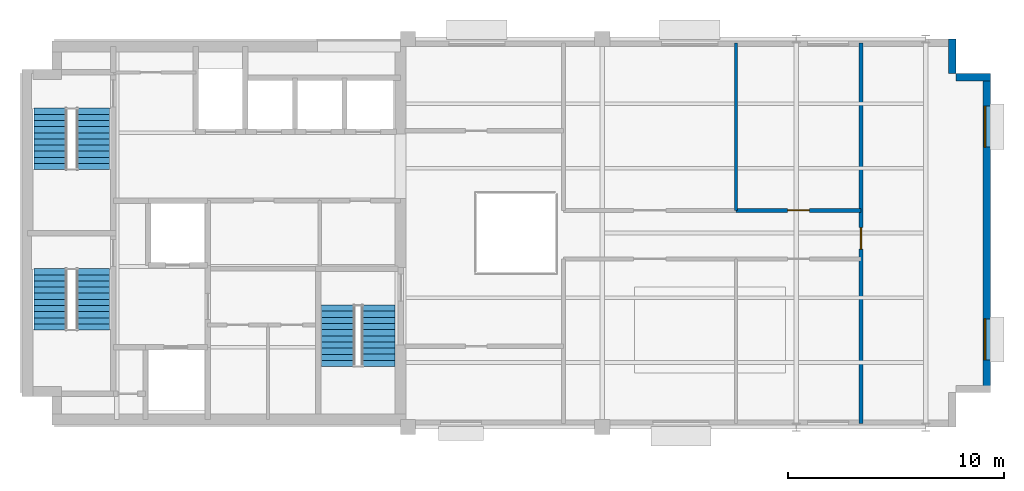
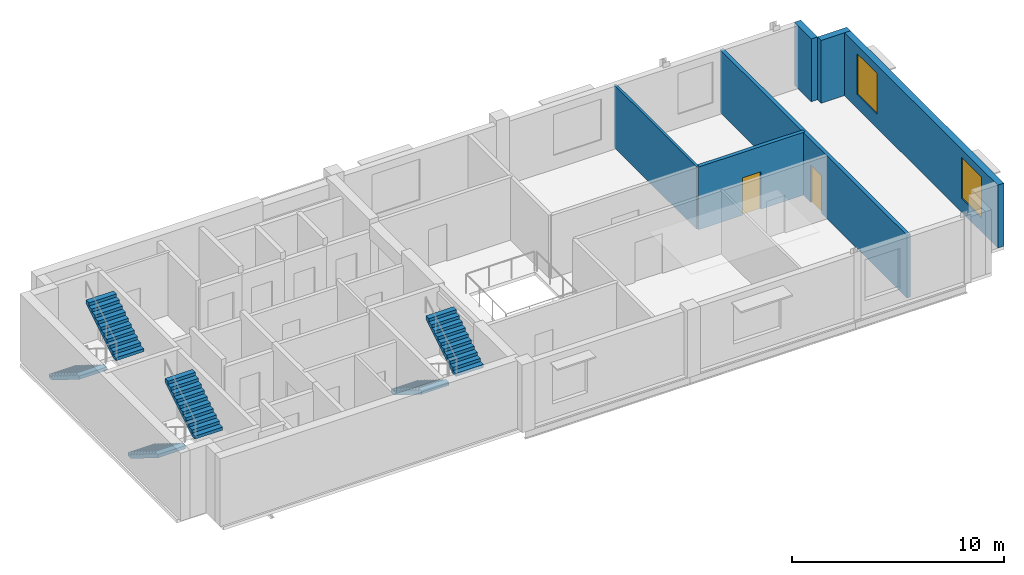
# One storey, part 4 of 5: 6 stair flights, 6 walls, 2 doors, 2 windows, 4 openings, 3 elements without a shape of their own.
"""IFC4 building model written with IfcOpenShell, lengths in metres."""

from ifc_helpers import new_model, si_unit, direction, frame, frame_2d, origin, place, context, subcontext, project, spatial, polyline, rectangle, outline, extrude, material, layer, layer_set, type_object, element, fill, aggregate, save


model = new_model("IFC4")

# Units and contexts
model_context = context("Model", 3, precision=1e-05, world=origin(), true_north=direction((0.0, 1.0)))
body_context = subcontext(model_context, "Body", "Model", "MODEL_VIEW")
ifc_project = project(units=[si_unit("LENGTHUNIT", "METRE"), si_unit("AREAUNIT", "SQUARE_METRE"), si_unit("VOLUMEUNIT", "CUBIC_METRE"), si_unit("PLANEANGLEUNIT", "RADIAN"), si_unit("MASSUNIT", "GRAM", prefix="KILO")], contexts=[model_context])

# Site, building, storey
site_placement = place(None, origin())
site = spatial("IfcSite", under=ifc_project, at=site_placement, CompositionType="ELEMENT")
building_placement = place(site_placement, origin())
building = spatial("IfcBuilding", under=site, at=building_placement, Name="Mawjdan Bourse Tower", CompositionType="ELEMENT")
storey_placement = place(building_placement, frame((0.0, 0.0, 309.300048828125)))
storey = spatial("IfcBuildingStorey", under=building, at=storey_placement, Name="L76", CompositionType="ELEMENT", Elevation=309.300048828125)

# Wall, openings, windows
ifc_material_1 = material(Name="Brick Masonry Buff", Category="masonry")
ifc_layer_1 = layer(ifc_material_1, 0.340087890625)
ifc_layer_set_1 = layer_set([ifc_layer_1], Name="Brick Masonry Buff")
wall_type_1 = type_object("IfcWallType", Name="WL-BRK-SPN-340", PredefinedType="STANDARD", material=ifc_layer_set_1)
wall_1_placement = place(storey_placement, frame((50.830078125, 4.60009765625, 0.0), z_axis=(0.0, 0.0, 1.0), x_axis=(0.0, 1.0, 0.0)))
wall_1 = element("IfcWall", 1, at=wall_1_placement, inside=storey, type_object=wall_type_1, Name="L76 Exterior Brick Wall 4", PredefinedType="STANDARD", context=body_context, shape_type="SweptSolid", body=[
    extrude(rectangle(XDim=14.7998046875, YDim=0.340087890625, at=frame_2d((7.39990234375, 0.0))), origin(), (0.0, 0.0, 1.0), 3.619873046875),
])
opening_1_placement = place(wall_1_placement, frame((1.5166015625, 0.0, 0.800048828125)))
opening_1 = element("IfcOpeningElement", 2, at=opening_1_placement, cuts=wall_1, Name="Opening W-L76-03", PredefinedType="OPENING", context=body_context, shape_type="SweptSolid", body=[
    extrude(rectangle(XDim=1.89990234375, YDim=2.35009765625, at=frame_2d((0.949951171875, 1.175048828125))), frame((0.0, 0.18017578125, 0.0), z_axis=(0.0, -1.0, 0.0), x_axis=(1.0, 0.0, 0.0)), (0.0, 0.0, 1.0), 0.360107421875),
])
opening_2_placement = place(wall_1_placement, frame((11.38330078125, 0.0, 0.800048828125)))
opening_2 = element("IfcOpeningElement", 3, at=opening_2_placement, cuts=wall_1, Name="Opening W-L76-04", PredefinedType="OPENING", context=body_context, shape_type="SweptSolid", body=[
    extrude(rectangle(XDim=1.89990234375, YDim=2.35009765625, at=frame_2d((0.949951171875, 1.175048828125))), frame((0.0, 0.18017578125, 0.0), z_axis=(0.0, -1.0, 0.0), x_axis=(1.0, 0.0, 0.0)), (0.0, 0.0, 1.0), 0.360107421875),
])
ifc_material_2 = material(Name="Solar-Control Clear Double Glazing", Category="glass")
window_type = type_object("IfcWindowType", Name="WN-SMT-1900", PartitioningType="SINGLE_PANEL", PredefinedType="WINDOW", material=ifc_material_2)
window_1_placement = place(opening_1_placement, origin())
window_1 = element("IfcWindow", 4, at=window_1_placement, inside=storey, type_object=window_type, Name="L76 Deep-Set Masonry Window W-L76-03", OverallHeight=2.35009765625, OverallWidth=1.89990234375, PartitioningType="SINGLE_PANEL", PredefinedType="WINDOW", context=body_context, shape_type="SweptSolid", body=[
    extrude(rectangle(XDim=1.89990234375, YDim=2.35009765625, at=frame_2d((0.949951171875, 1.175048828125))), frame((0.0, 0.110107421875, 0.0), z_axis=(0.0, -1.0, 0.0), x_axis=(1.0, 0.0, 0.0)), (0.0, 0.0, 1.0), 0.06005859375),
])
fill(opening_1, window_1)
window_2_placement = place(opening_2_placement, origin())
window_2 = element("IfcWindow", 5, at=window_2_placement, inside=storey, type_object=window_type, Name="L76 Deep-Set Masonry Window W-L76-04", OverallHeight=2.35009765625, OverallWidth=1.89990234375, PartitioningType="SINGLE_PANEL", PredefinedType="WINDOW", context=body_context, shape_type="SweptSolid", body=[
    extrude(rectangle(XDim=1.89990234375, YDim=2.35009765625, at=frame_2d((0.949951171875, 1.175048828125))), frame((0.0, 0.110107421875, 0.0), z_axis=(0.0, -1.0, 0.0), x_axis=(1.0, 0.0, 0.0)), (0.0, 0.0, 1.0), 0.06005859375),
])
fill(opening_2, window_2)

# Walls
for number, where, z_axis, x_axis, name in (
    (6, (51.0, 19.22998046875, 0.0), (0.0, 0.0, 1.0), (-1.0, 0.0, 0.0), "L76 Exterior Brick Wall 5"),
    (7, (49.22998046875, 19.39990234375, 0.0), (0.0, 0.0, 1.0), (0.0, 1.0, 0.0), "L76 Exterior Brick Wall 6"),
):
    element("IfcWall", number, at=place(storey_placement, frame(where, z_axis=z_axis, x_axis=x_axis)), inside=storey, type_object=wall_type_1, Name=name, PredefinedType="STANDARD", context=body_context, shape_type="SweptSolid", body=[
        extrude(rectangle(XDim=1.60009765625, YDim=0.340087890625, at=frame_2d((0.800048828125, 0.0))), origin(), (0.0, 0.0, 1.0), 3.619873046875),
    ])

# Wall, opening, door
ifc_material_3 = material(Name="Gypsum Fireboard Assembly")
ifc_layer_2 = layer(ifc_material_3, 0.199951171875)
ifc_layer_set_2 = layer_set([ifc_layer_2], Name="Gypsum Fireboard Assembly")
wall_type_2 = type_object("IfcWallType", Name="WL-CMP-200", PredefinedType="PARTITIONING", material=ifc_layer_set_2)
wall_2_placement = place(storey_placement, frame((39.199951171875, 13.050048828125, 0.0), z_axis=(0.0, 0.0, 1.0), x_axis=(1.0, 0.0, 0.0)))
wall_2 = element("IfcWall", 8, at=wall_2_placement, inside=storey, type_object=wall_type_2, Name="L76 Lantern Overlook Salon Corridor Wall", PredefinedType="PARTITIONING", context=body_context, shape_type="SweptSolid", body=[
    extrude(rectangle(XDim=5.800048828125, YDim=0.199951171875, at=frame_2d((2.89990234375, 0.0))), origin(), (0.0, 0.0, 1.0), 3.60986328125),
])
opening_3_placement = place(wall_2_placement, frame((2.39990234375, 0.0, 0.0)))
opening_3 = element("IfcOpeningElement", 9, at=opening_3_placement, cuts=wall_2, Name="Opening D-L76-23", PredefinedType="OPENING", context=body_context, shape_type="SweptSolid", body=[
    extrude(rectangle(XDim=1.0, YDim=2.14990234375, at=frame_2d((0.5, 1.074951171875))), frame((0.0, 0.10986328125, 0.0), z_axis=(0.0, -1.0, 0.0), x_axis=(1.0, 0.0, 0.0)), (0.0, 0.0, 1.0), 0.219970703125),
])
ifc_material_4 = material(Name="Hardwood Acoustic Leaf", Category="wood")
door_type = type_object("IfcDoorType", Name="DR-OFC-1000", OperationType="NOTDEFINED", PredefinedType="DOOR", material=ifc_material_4)
door_1_placement = place(opening_3_placement, origin())
door_1 = element("IfcDoor", 10, at=door_1_placement, inside=storey, type_object=door_type, Name="L76 Lantern Overlook Salon Door D-L76-23", OperationType="SINGLE_SWING_LEFT", OverallHeight=2.14990234375, OverallWidth=1.0, PredefinedType="DOOR", context=body_context, shape_type="SweptSolid", body=[
    extrude(rectangle(XDim=1.0, YDim=2.14990234375, at=frame_2d((0.5, 1.074951171875))), frame((0.0, 0.02490234375, 0.0), z_axis=(0.0, -1.0, 0.0), x_axis=(1.0, 0.0, 0.0)), (0.0, 0.0, 1.0), 0.050048828125),
])
fill(opening_3, door_1)

wall_3_placement = place(storey_placement, frame((45.0, 3.179931640625, 0.0), z_axis=(0.0, 0.0, 1.0), x_axis=(0.0, 1.0, 0.0)))
wall_3 = element("IfcWall", 11, at=wall_3_placement, inside=storey, type_object=wall_type_2, Name="L76 East Tip Full Cross Wall", PredefinedType="PARTITIONING", context=body_context, shape_type="SweptSolid", body=[
    extrude(rectangle(XDim=17.64013671875, YDim=0.199951171875, at=frame_2d((8.820068359375, 0.0))), origin(), (0.0, 0.0, 1.0), 3.60986328125),
])
opening_4_placement = place(wall_3_placement, frame((8.074951171875, 0.0, 0.0)))
opening_4 = element("IfcOpeningElement", 12, at=opening_4_placement, cuts=wall_3, Name="Opening D-L76-24", PredefinedType="OPENING", context=body_context, shape_type="SweptSolid", body=[
    extrude(rectangle(XDim=1.0, YDim=2.14990234375, at=frame_2d((0.5, 1.074951171875))), frame((0.0, 0.10986328125, 0.0), z_axis=(0.0, -1.0, 0.0), x_axis=(1.0, 0.0, 0.0)), (0.0, 0.0, 1.0), 0.219970703125),
])
door_2_placement = place(opening_4_placement, origin())
door_2 = element("IfcDoor", 13, at=door_2_placement, inside=storey, type_object=door_type, Name="L76 East Tip Hall Door D-L76-24", OperationType="SINGLE_SWING_RIGHT", OverallHeight=2.14990234375, OverallWidth=1.0, PredefinedType="DOOR", context=body_context, shape_type="SweptSolid", body=[
    extrude(rectangle(XDim=1.0, YDim=2.14990234375, at=frame_2d((0.5, 1.074951171875))), frame((0.0, 0.02490234375, 0.0), z_axis=(0.0, -1.0, 0.0), x_axis=(1.0, 0.0, 0.0)), (0.0, 0.0, 1.0), 0.050048828125),
])
fill(opening_4, door_2)

# Wall
ifc_material_5 = material(Name="Gypsum Partition")
ifc_layer_3 = layer(ifc_material_5, 0.125)
ifc_layer_set_3 = layer_set([ifc_layer_3], Name="Gypsum Partition")
wall_type_3 = type_object("IfcWallType", Name="WL-PRT-125", PredefinedType="PARTITIONING", material=ifc_layer_set_3)
wall_4_placement = place(storey_placement, frame((39.199951171875, 13.050048828125, 0.0), z_axis=(0.0, 0.0, 1.0), x_axis=(0.0, 1.0, 0.0)))
element("IfcWall", 14, at=wall_4_placement, inside=storey, type_object=wall_type_3, Name="L76 Lantern Overlook Salon Partition", PredefinedType="PARTITIONING", context=body_context, shape_type="SweptSolid", body=[
    extrude(rectangle(XDim=7.77001953125, YDim=0.125, at=frame_2d((3.885009765625, 0.0))), origin(), (0.0, 0.0, 1.0), 3.60986328125),
])

# Stair, stair flights
ifc_material_6 = material(Name="Concrete C50/60", Category="concrete")
stair_type = type_object("IfcStairType", Name="STR-CORE-1500", PredefinedType="HALF_TURN_STAIR", material=ifc_material_6)
stair_1_placement = place(storey_placement, origin())
stair_1 = element("IfcStair", 15, at=stair_1_placement, inside=storey, type_object=stair_type, Name="L76 Exit Stair 1 (Core South-West)", PredefinedType="HALF_TURN_STAIR")
stair_flight_type = type_object("IfcStairFlightType", Name="SFL-RC-1500", PredefinedType="STRAIGHT", material=ifc_material_6)
stair_flight_1_placement = place(storey_placement, frame((7.389892578125, 10.35009765625, 0.0), z_axis=(0.0, 0.0, 1.0), x_axis=(0.0, -1.0, 0.0)))
stair_flight_1 = element("IfcStairFlight", 16, at=stair_flight_1_placement, type_object=stair_flight_type, Name="ST1-L76 flight 1", NumberOfRisers=11, NumberOfTreads=10, PredefinedType="STRAIGHT", RiserHeight=0.177273, TreadLength=0.285, context=body_context, shape_type="SweptSolid", body=[
    extrude(outline(polyline([(0.0, 0.0), (0.0, 0.17724609375), (0.284912109375, 0.17724609375), (0.284912109375, 0.3544921875), (0.570068359375, 0.3544921875), (0.570068359375, 0.53173828125), (0.85498046875, 0.53173828125), (0.85498046875, 0.708984375), (1.139892578125, 0.708984375), (1.139892578125, 0.886474609375), (1.425048828125, 0.886474609375), (1.425048828125, 1.063720703125), (1.7099609375, 1.063720703125), (1.7099609375, 1.240966796875), (1.9951171875, 1.240966796875), (1.9951171875, 1.418212890625), (2.280029296875, 1.418212890625), (2.280029296875, 1.595458984375), (2.56494140625, 1.595458984375), (2.56494140625, 1.772705078125), (2.85009765625, 1.772705078125), (2.85009765625, 1.949951171875), (2.85009765625, 1.58447265625), (0.302734375, 0.0), (0.0, 0.0)])), frame((0.0, 0.75, 0.0), z_axis=(0.0, -1.0, 0.0), x_axis=(1.0, 0.0, 0.0)), (0.0, 0.0, 1.0), 1.5),
])
stair_flight_2_placement = place(storey_placement, frame((9.409912109375, 7.5, 1.949951171875), z_axis=(0.0, 0.0, 1.0), x_axis=(0.0, 1.0, 0.0)))
stair_flight_2 = element("IfcStairFlight", 17, at=stair_flight_2_placement, type_object=stair_flight_type, Name="ST1-L76 flight 2", NumberOfRisers=11, NumberOfTreads=10, PredefinedType="STRAIGHT", RiserHeight=0.177273, TreadLength=0.285, context=body_context, shape_type="SweptSolid", body=[
    extrude(outline(polyline([(0.0, 0.0), (0.0, 0.17724609375), (0.284912109375, 0.17724609375), (0.284912109375, 0.3544921875), (0.570068359375, 0.3544921875), (0.570068359375, 0.53173828125), (0.85498046875, 0.53173828125), (0.85498046875, 0.708984375), (1.139892578125, 0.708984375), (1.139892578125, 0.886474609375), (1.425048828125, 0.886474609375), (1.425048828125, 1.063720703125), (1.7099609375, 1.063720703125), (1.7099609375, 1.240966796875), (1.9951171875, 1.240966796875), (1.9951171875, 1.418212890625), (2.280029296875, 1.418212890625), (2.280029296875, 1.595458984375), (2.56494140625, 1.595458984375), (2.56494140625, 1.772705078125), (2.85009765625, 1.772705078125), (2.85009765625, 1.949951171875), (2.85009765625, 1.58447265625), (0.302734375, 0.0), (0.0, 0.0)])), frame((0.0, 0.75, 0.0), z_axis=(0.0, -1.0, 0.0), x_axis=(1.0, 0.0, 0.0)), (0.0, 0.0, 1.0), 1.5),
])
aggregate(stair_1, [stair_flight_1, stair_flight_2])

stair_2_placement = place(storey_placement, origin())
stair_2 = element("IfcStair", 18, at=stair_2_placement, inside=storey, type_object=stair_type, Name="L76 Exit Stair 2 (Core North-West)", PredefinedType="HALF_TURN_STAIR")
stair_flight_3_placement = place(storey_placement, frame((7.389892578125, 17.7900390625, 0.0), z_axis=(0.0, 0.0, 1.0), x_axis=(0.0, -1.0, 0.0)))
stair_flight_3 = element("IfcStairFlight", 19, at=stair_flight_3_placement, type_object=stair_flight_type, Name="ST2-L76 flight 1", NumberOfRisers=11, NumberOfTreads=10, PredefinedType="STRAIGHT", RiserHeight=0.177273, TreadLength=0.285, context=body_context, shape_type="SweptSolid", body=[
    extrude(outline(polyline([(0.0, 0.0), (0.0, 0.17724609375), (0.284912109375, 0.17724609375), (0.284912109375, 0.3544921875), (0.570068359375, 0.3544921875), (0.570068359375, 0.53173828125), (0.85498046875, 0.53173828125), (0.85498046875, 0.708984375), (1.139892578125, 0.708984375), (1.139892578125, 0.886474609375), (1.425048828125, 0.886474609375), (1.425048828125, 1.063720703125), (1.7099609375, 1.063720703125), (1.7099609375, 1.240966796875), (1.9951171875, 1.240966796875), (1.9951171875, 1.418212890625), (2.280029296875, 1.418212890625), (2.280029296875, 1.595458984375), (2.56494140625, 1.595458984375), (2.56494140625, 1.772705078125), (2.85009765625, 1.772705078125), (2.85009765625, 1.949951171875), (2.85009765625, 1.58447265625), (0.302734375, 0.0), (0.0, 0.0)])), frame((0.0, 0.75, 0.0), z_axis=(0.0, -1.0, 0.0), x_axis=(1.0, 0.0, 0.0)), (0.0, 0.0, 1.0), 1.5),
])
stair_flight_4_placement = place(storey_placement, frame((9.409912109375, 14.93994140625, 1.949951171875), z_axis=(0.0, 0.0, 1.0), x_axis=(0.0, 1.0, 0.0)))
stair_flight_4 = element("IfcStairFlight", 20, at=stair_flight_4_placement, type_object=stair_flight_type, Name="ST2-L76 flight 2", NumberOfRisers=11, NumberOfTreads=10, PredefinedType="STRAIGHT", RiserHeight=0.177273, TreadLength=0.285, context=body_context, shape_type="SweptSolid", body=[
    extrude(outline(polyline([(0.0, 0.0), (0.0, 0.17724609375), (0.284912109375, 0.17724609375), (0.284912109375, 0.3544921875), (0.570068359375, 0.3544921875), (0.570068359375, 0.53173828125), (0.85498046875, 0.53173828125), (0.85498046875, 0.708984375), (1.139892578125, 0.708984375), (1.139892578125, 0.886474609375), (1.425048828125, 0.886474609375), (1.425048828125, 1.063720703125), (1.7099609375, 1.063720703125), (1.7099609375, 1.240966796875), (1.9951171875, 1.240966796875), (1.9951171875, 1.418212890625), (2.280029296875, 1.418212890625), (2.280029296875, 1.595458984375), (2.56494140625, 1.595458984375), (2.56494140625, 1.772705078125), (2.85009765625, 1.772705078125), (2.85009765625, 1.949951171875), (2.85009765625, 1.58447265625), (0.302734375, 0.0), (0.0, 0.0)])), frame((0.0, 0.75, 0.0), z_axis=(0.0, -1.0, 0.0), x_axis=(1.0, 0.0, 0.0)), (0.0, 0.0, 1.0), 1.5),
])
aggregate(stair_2, [stair_flight_3, stair_flight_4])

stair_3_placement = place(storey_placement, origin())
stair_3 = element("IfcStair", 21, at=stair_3_placement, inside=storey, type_object=stair_type, Name="L76 Exit Stair 7 (Core South-East)", PredefinedType="HALF_TURN_STAIR")
stair_flight_5_placement = place(storey_placement, frame((20.739990234375, 8.659912109375, 0.0), z_axis=(0.0, 0.0, 1.0), x_axis=(0.0, -1.0, 0.0)))
stair_flight_5 = element("IfcStairFlight", 22, at=stair_flight_5_placement, type_object=stair_flight_type, Name="ST7-L76 flight 1", NumberOfRisers=11, NumberOfTreads=10, PredefinedType="STRAIGHT", RiserHeight=0.177273, TreadLength=0.285, context=body_context, shape_type="SweptSolid", body=[
    extrude(outline(polyline([(0.0, 0.0), (0.0, 0.17724609375), (0.284912109375, 0.17724609375), (0.284912109375, 0.3544921875), (0.570068359375, 0.3544921875), (0.570068359375, 0.53173828125), (0.85498046875, 0.53173828125), (0.85498046875, 0.708984375), (1.139892578125, 0.708984375), (1.139892578125, 0.886474609375), (1.425048828125, 0.886474609375), (1.425048828125, 1.063720703125), (1.7099609375, 1.063720703125), (1.7099609375, 1.240966796875), (1.9951171875, 1.240966796875), (1.9951171875, 1.418212890625), (2.280029296875, 1.418212890625), (2.280029296875, 1.595458984375), (2.56494140625, 1.595458984375), (2.56494140625, 1.772705078125), (2.85009765625, 1.772705078125), (2.85009765625, 1.949951171875), (2.85009765625, 1.58447265625), (0.302734375, 0.0), (0.0, 0.0)])), frame((0.0, 0.75, 0.0), z_axis=(0.0, -1.0, 0.0), x_axis=(1.0, 0.0, 0.0)), (0.0, 0.0, 1.0), 1.5),
])
stair_flight_6_placement = place(storey_placement, frame((22.6298828125, 5.81005859375, 1.949951171875), z_axis=(0.0, 0.0, 1.0), x_axis=(0.0, 1.0, 0.0)))
stair_flight_6 = element("IfcStairFlight", 23, at=stair_flight_6_placement, type_object=stair_flight_type, Name="ST7-L76 flight 2", NumberOfRisers=11, NumberOfTreads=10, PredefinedType="STRAIGHT", RiserHeight=0.177273, TreadLength=0.285, context=body_context, shape_type="SweptSolid", body=[
    extrude(outline(polyline([(0.0, 0.0), (0.0, 0.17724609375), (0.284912109375, 0.17724609375), (0.284912109375, 0.3544921875), (0.570068359375, 0.3544921875), (0.570068359375, 0.53173828125), (0.85498046875, 0.53173828125), (0.85498046875, 0.708984375), (1.139892578125, 0.708984375), (1.139892578125, 0.886474609375), (1.425048828125, 0.886474609375), (1.425048828125, 1.063720703125), (1.7099609375, 1.063720703125), (1.7099609375, 1.240966796875), (1.9951171875, 1.240966796875), (1.9951171875, 1.418212890625), (2.280029296875, 1.418212890625), (2.280029296875, 1.595458984375), (2.56494140625, 1.595458984375), (2.56494140625, 1.772705078125), (2.85009765625, 1.772705078125), (2.85009765625, 1.949951171875), (2.85009765625, 1.58447265625), (0.302734375, 0.0), (0.0, 0.0)])), frame((0.0, 0.75, 0.0), z_axis=(0.0, -1.0, 0.0), x_axis=(1.0, 0.0, 0.0)), (0.0, 0.0, 1.0), 1.5),
])
aggregate(stair_3, [stair_flight_5, stair_flight_6])

save(model, "model.ifc")
